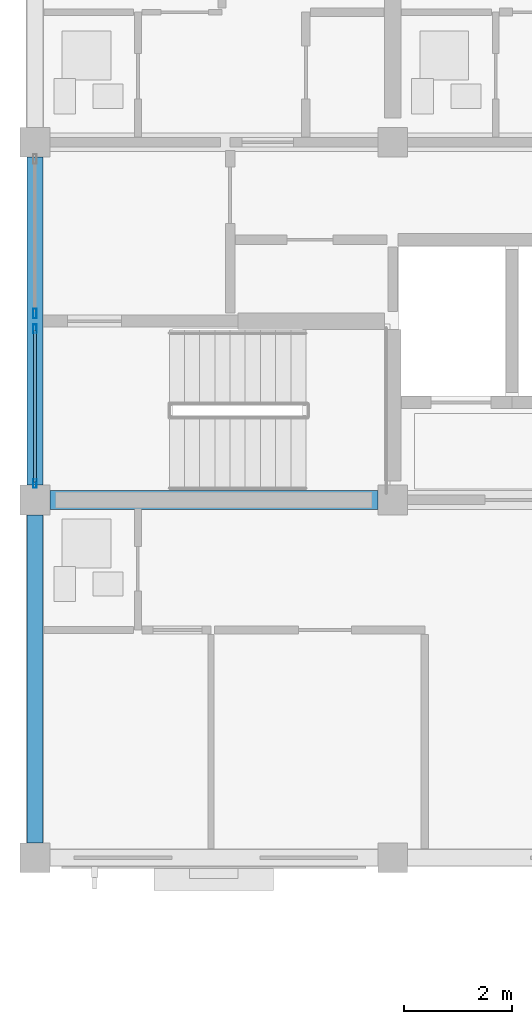
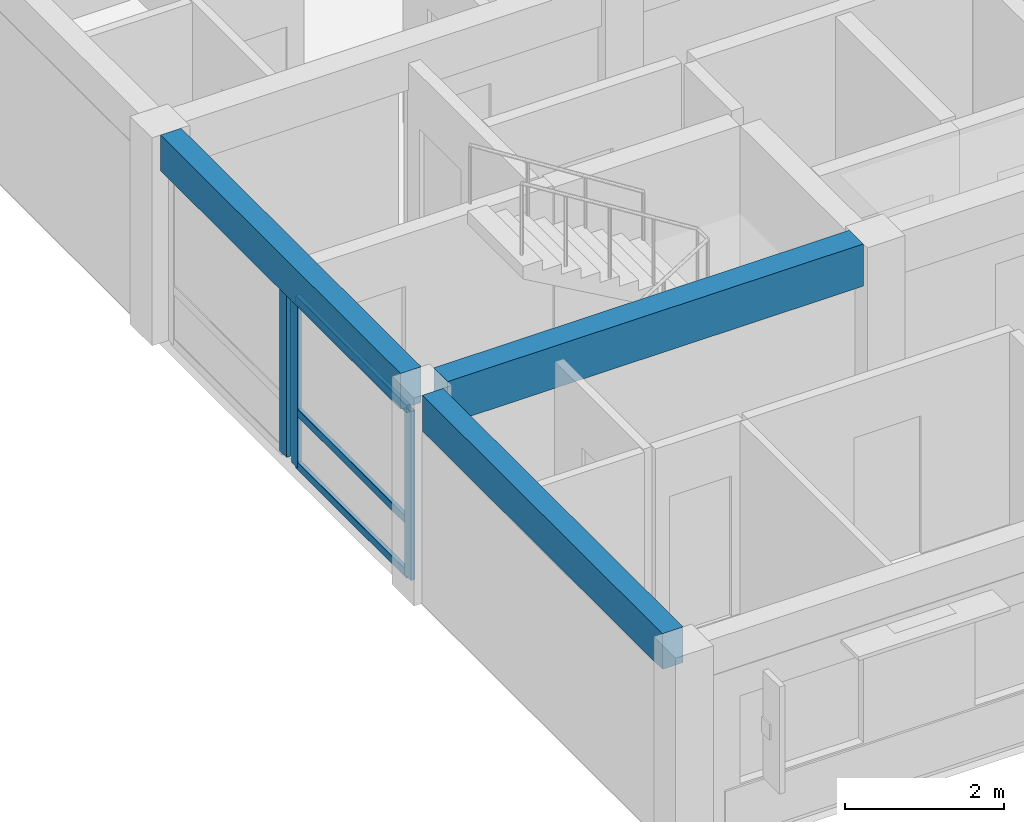
# One storey, part 15 of 53: 6 members, 3 beams, 2 elements without a shape of their own.
"""IFC4 building model written with IfcOpenShell, lengths in metres."""

from ifc_helpers import new_model, si_unit, direction, frame, origin, origin_2d, place, context, subcontext, project, spatial, rectangle, hollow_rectangle, extrude, material, material_profile, profile_set, type_object, element, aggregate, save


model = new_model("IFC4")

# Units and contexts
model_context = context("Model", 3, precision=1e-05, world=origin(), true_north=direction((0.0, 1.0)))
body_context = subcontext(model_context, "Body", "Model", "MODEL_VIEW")
ifc_project = project(units=[si_unit("LENGTHUNIT", "METRE"), si_unit("AREAUNIT", "SQUARE_METRE"), si_unit("VOLUMEUNIT", "CUBIC_METRE"), si_unit("PLANEANGLEUNIT", "RADIAN"), si_unit("MASSUNIT", "GRAM", prefix="KILO")], contexts=[model_context])

# Site, building, storey
site_placement = place(None, origin())
site = spatial("IfcSite", under=ifc_project, at=site_placement, CompositionType="ELEMENT")
building_placement = place(site_placement, origin())
building = spatial("IfcBuilding", under=site, at=building_placement, Name="Kernevlak Ridge Housing Community", CompositionType="ELEMENT")
storey_placement = place(building_placement, frame((0.0, 0.0, 18.0)))
storey = spatial("IfcBuildingStorey", under=building, at=storey_placement, Name="L05", CompositionType="ELEMENT", Elevation=18.0)

# Beam
ifc_material_1 = material(Name="Concrete C35/45", Category="concrete")
ifc_material_profile_1 = material_profile(ifc_material_1, rectangle(XDim=0.35009765625, YDim=0.64990234375, at=origin_2d()), Name="RC 350x650")
ifc_profile_set_1 = profile_set([ifc_material_profile_1], Name="Concrete C35/45")
beam_type_1 = type_object("IfcBeamType", Name="B-02", PredefinedType="BEAM", material=ifc_profile_set_1)
beam_placement = place(storey_placement, frame((15.875, 82.60009765625, 2.875), z_axis=(1.0, 0.0, 0.0), x_axis=(0.0, 1.0, 0.0)))
element("IfcBeam", 1, at=beam_placement, inside=storey, type_object=beam_type_1, Name="Beam B-02 L05 192", PredefinedType="BEAM", context=body_context, shape_type="SweptSolid", body=[
    extrude(rectangle(XDim=0.35009765625, YDim=0.64990234375, at=origin_2d()), origin(), (0.0, 0.0, 1.0), 6.050048828125),
])

# Curtain wall, members
ifc_material_2 = material(Name="Aluminium EN AW-6060 anodised and laminated glass", Category="aluminium")
curtain_wall_type_1 = type_object("IfcCurtainWallType", Name="CW-01", PredefinedType="NOTDEFINED", material=ifc_material_2)
curtain_wall_1_placement = place(storey_placement, origin())
curtain_wall_1 = element("IfcCurtainWall", 2, at=curtain_wall_1_placement, inside=storey, type_object=curtain_wall_type_1, Name="Curtain wall CW-01 CW-L05-016", PredefinedType="NOTDEFINED")
ifc_material_3 = material(Name="Aluminium EN AW-6060 anodised", Category="aluminium")
ifc_material_profile_2 = material_profile(ifc_material_3, hollow_rectangle(XDim=0.06005859375, YDim=0.159912109375, WallThickness=0.00390625, InnerFilletRadius=0.001953125, OuterFilletRadius=0.00390625, at=origin_2d()), Name="ALU 60x160x4")
ifc_profile_set_2 = profile_set([ifc_material_profile_2], Name="Aluminium EN AW-6060 anodised")
member_type_1 = type_object("IfcMemberType", Name="MU-02", PredefinedType="MULLION", material=ifc_profile_set_2)
member_1_placement = place(storey_placement, frame((15.60009765625, 82.905029296875, 0.0), z_axis=(0.0, 0.0, 1.0), x_axis=(-1.0, 0.0, 0.0)))
member_1 = element("IfcMember", 3, at=member_1_placement, type_object=member_type_1, Name="CW-01 mullion 1", PredefinedType="MULLION", context=body_context, shape_type="SweptSolid", body=[
    extrude(hollow_rectangle(XDim=0.06005859375, YDim=0.159912109375, WallThickness=0.00390625, InnerFilletRadius=0.001953125, OuterFilletRadius=0.00390625, at=origin_2d()), origin(), (0.0, 0.0, 1.0), 2.60009765625),
])
member_2_placement = place(storey_placement, frame((15.60009765625, 85.760009765625, 0.0), z_axis=(0.0, 0.0, 1.0), x_axis=(-1.0, 0.0, 0.0)))
member_2 = element("IfcMember", 4, at=member_2_placement, type_object=member_type_1, Name="CW-01 mullion 2", PredefinedType="MULLION", context=body_context, shape_type="SweptSolid", body=[
    extrude(hollow_rectangle(XDim=0.06005859375, YDim=0.159912109375, WallThickness=0.00390625, InnerFilletRadius=0.001953125, OuterFilletRadius=0.00390625, at=origin_2d()), origin(), (0.0, 0.0, 1.0), 2.60009765625),
])

# Curtain wall, member
curtain_wall_type_2 = type_object("IfcCurtainWallType", Name="CW-06", PredefinedType="NOTDEFINED", material=ifc_material_2)
curtain_wall_2_placement = place(storey_placement, origin())
curtain_wall_2 = element("IfcCurtainWall", 5, at=curtain_wall_2_placement, inside=storey, type_object=curtain_wall_type_2, Name="Curtain wall CW-06 CW-L05-017", PredefinedType="NOTDEFINED")
ifc_material_profile_3 = material_profile(ifc_material_3, hollow_rectangle(XDim=0.06494140625, YDim=0.179931640625, WallThickness=0.00439453125, InnerFilletRadius=0.001953125, OuterFilletRadius=0.00439453125, at=origin_2d()), Name="ALU 65x180x4.5")
ifc_profile_set_3 = profile_set([ifc_material_profile_3], Name="Aluminium EN AW-6060 anodised")
member_type_2 = type_object("IfcMemberType", Name="MU-03", PredefinedType="MULLION", material=ifc_profile_set_3)
member_3_placement = place(storey_placement, frame((15.60009765625, 86.04248046875, 0.0), z_axis=(0.0, 0.0, 1.0), x_axis=(-1.0, 0.0, 0.0)))
member_3 = element("IfcMember", 6, at=member_3_placement, type_object=member_type_2, Name="CW-06 mullion 1", PredefinedType="MULLION", context=body_context, shape_type="SweptSolid", body=[
    extrude(hollow_rectangle(XDim=0.06494140625, YDim=0.179931640625, WallThickness=0.00439453125, InnerFilletRadius=0.001953125, OuterFilletRadius=0.00439453125, at=origin_2d()), origin(), (0.0, 0.0, 1.0), 2.60009765625),
])
aggregate(curtain_wall_2, [member_3])

# Beams
ifc_material_profile_4 = material_profile(ifc_material_1, rectangle(XDim=0.300048828125, YDim=0.550048828125, at=origin_2d()), Name="RC 300x550")
ifc_profile_set_4 = profile_set([ifc_material_profile_4], Name="Concrete C35/45")
beam_type_2 = type_object("IfcBeamType", Name="SP-01", PredefinedType="SPANDREL", material=ifc_profile_set_4)
for number, where, z_axis, x_axis, name in (
    (7, (15.60009765625, 76.27490234375, 2.925048828125), (0.0, 1.0, 0.0), (-1.0, 0.0, 0.0), "Beam SP-01 L05 207"),
    (8, (15.60009765625, 82.875, 2.925048828125), (0.0, 1.0, 0.0), (-1.0, 0.0, 0.0), "Beam SP-01 L05 208"),
):
    element("IfcBeam", number, at=place(storey_placement, frame(where, z_axis=z_axis, x_axis=x_axis)), inside=storey, type_object=beam_type_2, Name=name, PredefinedType="SPANDREL", context=body_context, shape_type="SweptSolid", body=[
        extrude(rectangle(XDim=0.300048828125, YDim=0.550048828125, at=origin_2d()), origin(), (0.0, 0.0, 1.0), 6.050048828125),
    ])

# Member
ifc_material_profile_5 = material_profile(ifc_material_3, hollow_rectangle(XDim=0.06005859375, YDim=0.1201171875, WallThickness=0.00390625, InnerFilletRadius=0.001953125, OuterFilletRadius=0.00390625, at=origin_2d()), Name="ALU 60x120x4")
ifc_profile_set_5 = profile_set([ifc_material_profile_5], Name="Aluminium EN AW-6060 anodised")
member_type_3 = type_object("IfcMemberType", Name="TM-02", PredefinedType="USERDEFINED", material=ifc_profile_set_5)
member_4_placement = place(storey_placement, frame((15.60009765625, 82.93505859375, 0.030029296875), z_axis=(0.0, 1.0, 0.0), x_axis=(-1.0, 0.0, 0.0)))
member_4 = element("IfcMember", 9, at=member_4_placement, type_object=member_type_3, Name="CW-01 transom 1.1", ObjectType="TRANSOM", PredefinedType="USERDEFINED", context=body_context, shape_type="SweptSolid", body=[
    extrude(hollow_rectangle(XDim=0.06005859375, YDim=0.1201171875, WallThickness=0.00390625, InnerFilletRadius=0.001953125, OuterFilletRadius=0.00390625, at=origin_2d()), origin(), (0.0, 0.0, 1.0), 2.794921875),
])

member_5_placement = place(storey_placement, frame((15.60009765625, 82.93505859375, 0.85009765625), z_axis=(0.0, 1.0, 0.0), x_axis=(-1.0, 0.0, 0.0)))
member_5 = element("IfcMember", 10, at=member_5_placement, type_object=member_type_3, Name="CW-01 transom 1.2", ObjectType="TRANSOM", PredefinedType="USERDEFINED", context=body_context, shape_type="SweptSolid", body=[
    extrude(hollow_rectangle(XDim=0.06005859375, YDim=0.1201171875, WallThickness=0.00390625, InnerFilletRadius=0.001953125, OuterFilletRadius=0.00390625, at=origin_2d()), origin(), (0.0, 0.0, 1.0), 2.794921875),
])

member_6_placement = place(storey_placement, frame((15.60009765625, 82.93505859375, 2.570068359375), z_axis=(0.0, 1.0, 0.0), x_axis=(-1.0, 0.0, 0.0)))
member_6 = element("IfcMember", 11, at=member_6_placement, type_object=member_type_3, Name="CW-01 transom 1.3", ObjectType="TRANSOM", PredefinedType="USERDEFINED", context=body_context, shape_type="SweptSolid", body=[
    extrude(hollow_rectangle(XDim=0.06005859375, YDim=0.1201171875, WallThickness=0.00390625, InnerFilletRadius=0.001953125, OuterFilletRadius=0.00390625, at=origin_2d()), origin(), (0.0, 0.0, 1.0), 2.794921875),
])

aggregate(curtain_wall_1, [member_1, member_2, member_4, member_5, member_6])

save(model, "model.ifc")
